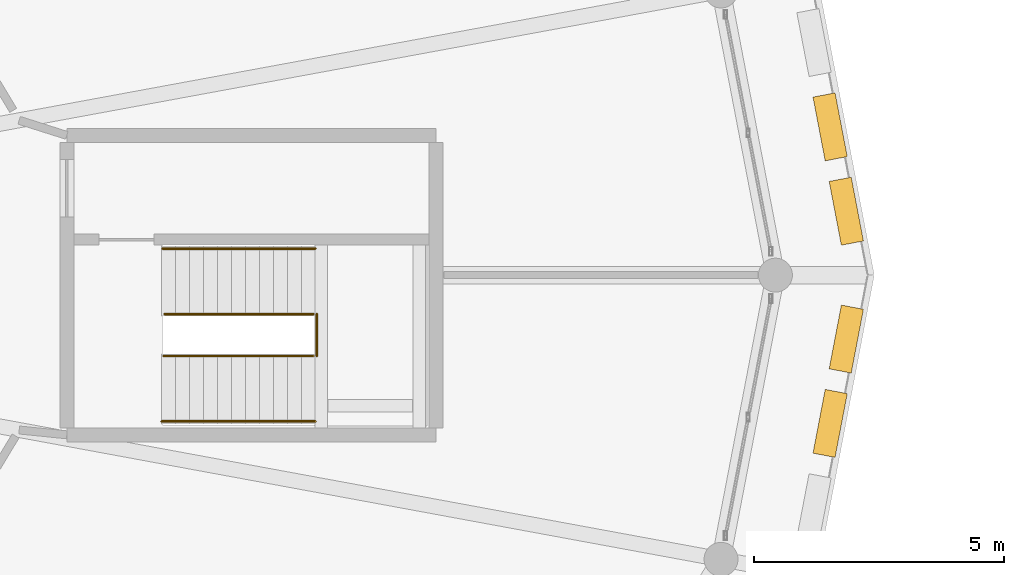
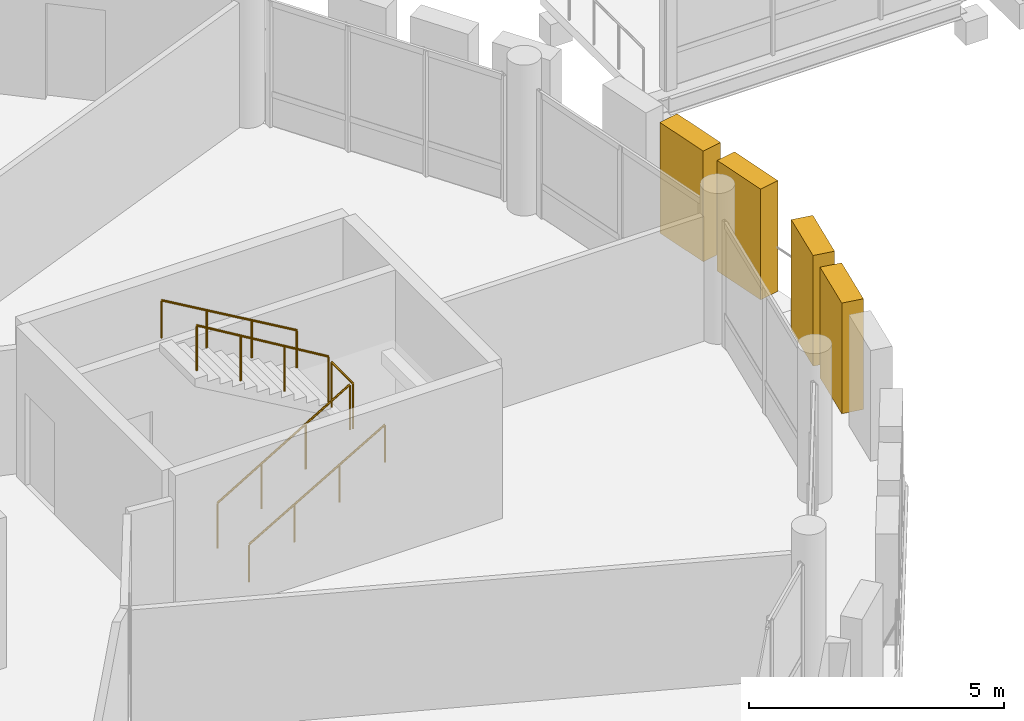
# One storey, part 124 of 128: 5 railings, 4 shading devices.
"""IFC4 building model written with IfcOpenShell, lengths in metres."""

from ifc_helpers import new_model, si_unit, direction, frame, origin, origin_2d, place, context, subcontext, project, spatial, rectangle, circle, extrude, material, type_object, element, save


model = new_model("IFC4")

# Units and contexts
model_context = context("Model", 3, precision=1e-05, world=origin(), true_north=direction((0.0, 1.0)))
body_context = subcontext(model_context, "Body", "Model", "MODEL_VIEW")
ifc_project = project(units=[si_unit("LENGTHUNIT", "METRE"), si_unit("AREAUNIT", "SQUARE_METRE"), si_unit("VOLUMEUNIT", "CUBIC_METRE"), si_unit("PLANEANGLEUNIT", "RADIAN"), si_unit("MASSUNIT", "GRAM", prefix="KILO")], contexts=[model_context])

# Site, building, storey
site_placement = place(None, origin())
site = spatial("IfcSite", under=ifc_project, at=site_placement, CompositionType="ELEMENT")
building_placement = place(site_placement, origin())
building = spatial("IfcBuilding", under=site, at=building_placement, Name="Zornivar Specialist Clinic", CompositionType="ELEMENT")
storey_placement = place(building_placement, frame((0.0, 0.0, 4.5)))
storey = spatial("IfcBuildingStorey", under=building, at=storey_placement, Name="L01", CompositionType="ELEMENT", Elevation=4.5)

# Railings
ifc_material_1 = material(Name="Brushed Stainless Steel Stair Guardrail", Category="steel")
railing_type_1 = type_object("IfcRailingType", Name="GRD-INT-STAIR-1100", PredefinedType="GUARDRAIL", material=ifc_material_1)
railing_1_placement = place(storey_placement, frame((113.340087890625, 55.97998046875, 0.162109375)))
element("IfcRailing", 1, at=railing_1_placement, inside=storey, type_object=railing_type_1, Name="stair:C4:L01:grd1", PredefinedType="GUARDRAIL", context=body_context, shape_type="SweptSolid", body=[
    extrude(circle(Radius=0.02392578125, at=origin_2d()), frame((0.0, 0.0, 1.076171875), z_axis=(0.859025016629, 0.0, 0.511933609764), x_axis=(0.0, 1.0, 0.0)), (0.0, 0.0, 1.0), 3.492431640625),
    extrude(circle(Radius=0.02099609375, at=origin_2d()), origin(), (0.0, 0.0, 1.0), 1.052001953125),
    extrude(circle(Radius=0.02099609375, at=origin_2d()), frame((1.0, 0.0, 0.595947265625)), (0.0, 0.0, 1.0), 1.052001953125),
    extrude(circle(Radius=0.02099609375, at=origin_2d()), frame((2.0, 0.0, 1.19189453125)), (0.0, 0.0, 1.0), 1.052001953125),
    extrude(circle(Radius=0.02099609375, at=origin_2d()), frame((3.0, 0.0, 1.787841796875)), (0.0, 0.0, 1.0), 1.052001953125),
])
railing_2_placement = place(storey_placement, frame((116.340087890625, 56.820068359375, 2.112060546875)))
element("IfcRailing", 2, at=railing_2_placement, inside=storey, type_object=railing_type_1, Name="stair:C4:L01:grd2", PredefinedType="GUARDRAIL", context=body_context, shape_type="SweptSolid", body=[
    extrude(circle(Radius=0.02392578125, at=origin_2d()), frame((0.0, 0.0, 1.076171875), z_axis=(-0.857511521609, 0.0, 0.514464760998), x_axis=(0.0, -1.0, 0.0)), (0.0, 0.0, 1.0), 3.47509765625),
    extrude(circle(Radius=0.02099609375, at=origin_2d()), origin(), (0.0, 0.0, 1.0), 1.052001953125),
    extrude(circle(Radius=0.02099609375, at=origin_2d()), frame((-0.993408203125, 0.0, 0.595947265625)), (0.0, 0.0, 1.0), 1.052001953125),
    extrude(circle(Radius=0.02099609375, at=origin_2d()), frame((-1.986572265625, 0.0, 1.19189453125)), (0.0, 0.0, 1.0), 1.052001953125),
    extrude(circle(Radius=0.02099609375, at=origin_2d()), frame((-2.97998046875, 0.0, 1.787841796875)), (0.0, 0.0, 1.0), 1.052001953125),
])
railing_3_placement = place(storey_placement, frame((116.409912109375, 55.97998046875, 1.949951171875)))
element("IfcRailing", 3, at=railing_3_placement, inside=storey, type_object=railing_type_1, Name="stair:C4:L01:grdl", PredefinedType="GUARDRAIL", context=body_context, shape_type="SweptSolid", body=[
    extrude(circle(Radius=0.02392578125, at=origin_2d()), frame((0.0, 0.0, 1.076171875), z_axis=(0.0, 1.0, 0.0), x_axis=(-1.0, 0.0, 0.0)), (0.0, 0.0, 1.0), 0.840087890625),
    extrude(circle(Radius=0.02099609375, at=origin_2d()), origin(), (0.0, 0.0, 1.0), 1.052001953125),
    extrude(circle(Radius=0.02099609375, at=origin_2d()), frame((0.0, 0.840087890625, 0.0)), (0.0, 0.0, 1.0), 1.052001953125),
])
ifc_material_2 = material(Name="Brushed Stainless Steel Continuous Handrail", Category="steel")
railing_type_2 = type_object("IfcRailingType", Name="HRL-STAIR-0920", PredefinedType="HANDRAIL", material=ifc_material_2)
railing_4_placement = place(storey_placement, frame((113.300048828125, 54.669921875, 0.162109375)))
element("IfcRailing", 4, at=railing_4_placement, inside=storey, type_object=railing_type_2, Name="stair:C4:L01:hr1", PredefinedType="HANDRAIL", context=body_context, shape_type="SweptSolid", body=[
    extrude(circle(Radius=0.02392578125, at=origin_2d()), frame((0.0, 0.0, 0.89599609375), z_axis=(0.864843680186, 0.0, 0.502041242172), x_axis=(0.0, 1.0, 0.0)), (0.0, 0.0, 1.0), 3.56103515625),
    extrude(circle(Radius=0.02099609375, at=origin_2d()), origin(), (0.0, 0.0, 1.0), 0.871826171875),
    extrude(circle(Radius=0.02099609375, at=origin_2d()), frame((1.026611328125, 0.0, 0.595947265625)), (0.0, 0.0, 1.0), 0.871826171875),
    extrude(circle(Radius=0.02099609375, at=origin_2d()), frame((2.05322265625, 0.0, 1.19189453125)), (0.0, 0.0, 1.0), 0.871826171875),
    extrude(circle(Radius=0.02099609375, at=origin_2d()), frame((3.079833984375, 0.0, 1.787841796875)), (0.0, 0.0, 1.0), 0.871826171875),
])
railing_5_placement = place(storey_placement, frame((116.3798828125, 58.1298828125, 2.112060546875)))
element("IfcRailing", 5, at=railing_5_placement, inside=storey, type_object=railing_type_2, Name="stair:C4:L01:hr2", PredefinedType="HANDRAIL", context=body_context, shape_type="SweptSolid", body=[
    extrude(circle(Radius=0.02392578125, at=origin_2d()), frame((0.0, 0.0, 0.89599609375), z_axis=(-0.863416372897, 0.0, 0.504491989047), x_axis=(0.0, -1.0, 0.0)), (0.0, 0.0, 1.0), 3.5439453125),
    extrude(circle(Radius=0.02099609375, at=origin_2d()), origin(), (0.0, 0.0, 1.0), 0.871826171875),
    extrude(circle(Radius=0.02099609375, at=origin_2d()), frame((-1.02001953125, 0.0, 0.595947265625)), (0.0, 0.0, 1.0), 0.871826171875),
    extrude(circle(Radius=0.02099609375, at=origin_2d()), frame((-2.039794921875, 0.0, 1.19189453125)), (0.0, 0.0, 1.0), 0.871826171875),
    extrude(circle(Radius=0.02099609375, at=origin_2d()), frame((-3.059814453125, 0.0, 1.787841796875)), (0.0, 0.0, 1.0), 0.871826171875),
])

# Shading devices
ifc_material_3 = material(Name="Oiled European Larch Timber Louvre Shutter", Category="wood")
shading_device_type = type_object("IfcShadingDeviceType", Name="SHD-DRUM-SHUTTER-450", PredefinedType="SHUTTER", material=ifc_material_3)
for number, where, z_axis, x_axis, name in (
    (6, (127.02001953125, 58.881103515625, 0.0), (0.0, 0.0, 1.0), (-0.188098987302, 0.982150075587, 0.0), "shutter:V1:L01:c00:0"),
    (7, (126.696044921875, 60.571044921875, 0.0), (0.0, 0.0, 1.0), (-0.188098987302, 0.982150075587, 0.0), "shutter:V1:L01:c00:1"),
    (8, (126.696044921875, 54.62890625, 0.0), (0.0, 0.0, 1.0), (0.188098987302, 0.982150075587, 0.0), "shutter:V1:L01:c23:1"),
    (9, (127.02001953125, 56.319091796875, 0.0), (0.0, 0.0, 1.0), (0.188098987302, 0.982150075587, 0.0), "shutter:V1:L01:c23:2"),
):
    element("IfcShadingDevice", number, at=place(storey_placement, frame(where, z_axis=z_axis, x_axis=x_axis)), inside=storey, type_object=shading_device_type, Name=name, PredefinedType="SHUTTER", context=body_context, shape_type="SweptSolid", body=[
        extrude(rectangle(XDim=1.300048828125, YDim=0.449951171875, at=origin_2d()), origin(), (0.0, 0.0, 1.0), 2.64990234375),
    ])

save(model, "model.ifc")
